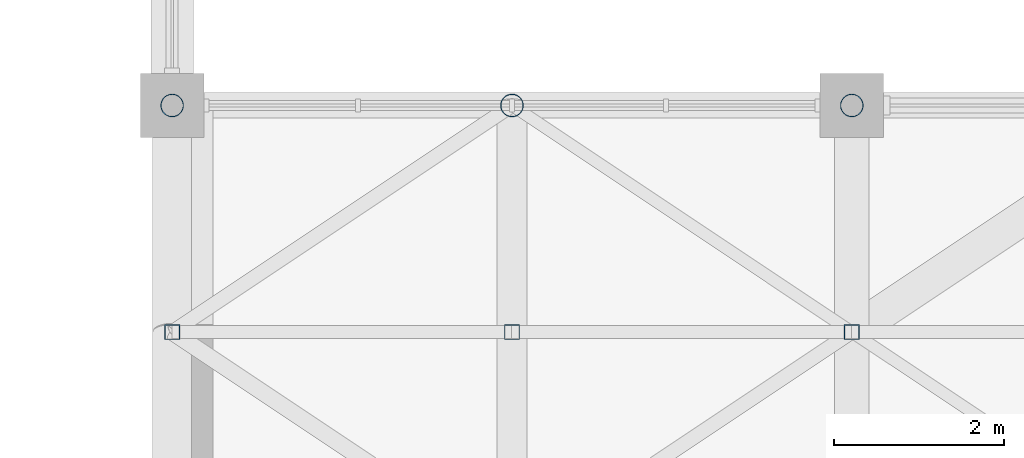
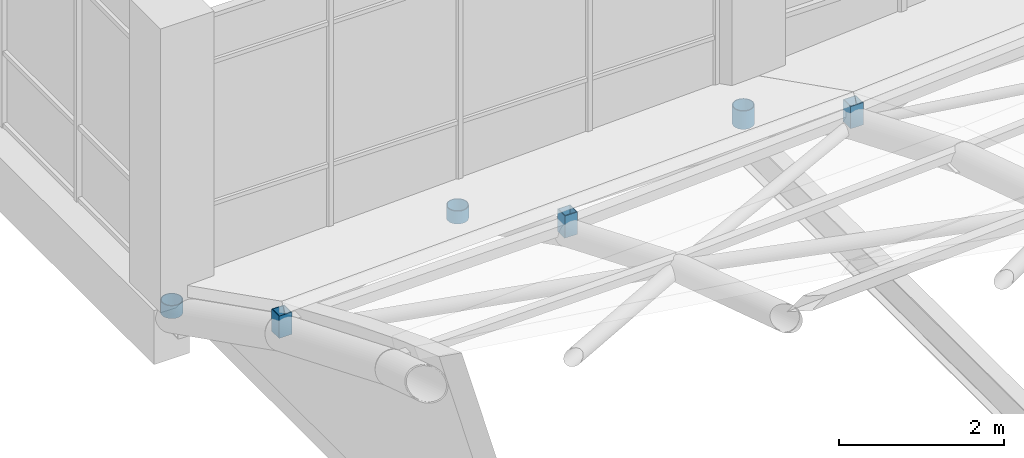
# One storey, part 40 of 72: 6 members.
"""IFC4 building model written with IfcOpenShell, lengths in metres."""

from ifc_helpers import new_model, si_unit, direction, frame, origin, origin_2d, place, context, subcontext, project, spatial, hollow_rectangle, hollow_circle, extrude, material, material_profile, profile_set, type_object, element, save


model = new_model("IFC4")

# Units and contexts
model_context = context("Model", 3, precision=1e-05, world=origin(), true_north=direction((0.0, 1.0)))
body_context = subcontext(model_context, "Body", "Model", "MODEL_VIEW")
ifc_project = project(units=[si_unit("LENGTHUNIT", "METRE"), si_unit("AREAUNIT", "SQUARE_METRE"), si_unit("VOLUMEUNIT", "CUBIC_METRE"), si_unit("PLANEANGLEUNIT", "RADIAN"), si_unit("MASSUNIT", "GRAM", prefix="KILO")], contexts=[model_context])

# Site, building, storey
site_placement = place(None, origin())
site = spatial("IfcSite", under=ifc_project, at=site_placement, CompositionType="ELEMENT")
building_placement = place(site_placement, origin())
building = spatial("IfcBuilding", under=site, at=building_placement, Name="Tenunan Teduh Sports Hall", CompositionType="ELEMENT")
storey_placement = place(building_placement, frame((0.0, 0.0, 15.0)))
storey = spatial("IfcBuildingStorey", under=building, at=storey_placement, Name="L03", CompositionType="ELEMENT", Elevation=15.0)

# Members
ifc_material_1 = material(Name="Steel S355", Category="steel")
ifc_material_profile_1 = material_profile(ifc_material_1, hollow_circle(Radius=0.136474609375, WallThickness=0.010009765625, at=origin_2d()), Name="CHS 273.0x10.0")
ifc_profile_set_1 = profile_set([ifc_material_profile_1], Name="Steel S355")
member_type_1 = type_object("IfcMemberType", Name="MEM-ST-CHS273", PredefinedType="STRUT", material=ifc_profile_set_1)
for number, where, z_axis, x_axis, name in (
    (1, (122.0, 46.0, -0.35009765625), (0.0, 0.0, 1.0), (1.0, 0.0, 0.0), "MEM-VS-04-L03-0002"),
    (2, (126.0, 46.0, -0.35009765625), (0.0, 0.0, 1.0), (1.0, 0.0, 0.0), "MEM-VS-04-L03-0009"),
):
    element("IfcMember", number, at=place(storey_placement, frame(where, z_axis=z_axis, x_axis=x_axis)), inside=storey, type_object=member_type_1, Name=name, PredefinedType="STRUT", context=body_context, shape_type="SweptSolid", body=[
        extrude(hollow_circle(Radius=0.136474609375, WallThickness=0.010009765625, at=origin_2d()), origin(), (0.0, 0.0, 1.0), 0.190185546875),
    ])
member_placement = place(storey_placement, frame((130.0, 46.0, -0.35009765625), z_axis=(0.0, 0.0, 1.0), x_axis=(1.0, 0.0, 0.0)))
element("IfcMember", 3, at=member_placement, inside=storey, type_object=member_type_1, Name="MEM-VS-04-L03-0016", PredefinedType="STRUT", context=body_context, shape_type="SweptSolid", body=[
    extrude(hollow_circle(Radius=0.136474609375, WallThickness=0.010009765625, at=origin_2d()), origin(), (0.0, 0.0, 1.0), 0.27099609375),
])
ifc_material_2 = material(Name="Steel S355", Category="steel")
ifc_material_profile_2 = material_profile(ifc_material_2, hollow_rectangle(XDim=0.179931640625, YDim=0.179931640625, WallThickness=0.010009765625, at=origin_2d()), Name="SHS 180x180x10.0")
ifc_profile_set_2 = profile_set([ifc_material_profile_2], Name="Steel S355")
member_type_2 = type_object("IfcMemberType", Name="MEM-ST-SHS180", PredefinedType="STRUT", material=ifc_profile_set_2)
for number, where, z_axis, x_axis, name in (
    (4, (122.0, 43.333251953125, 0.9638671875), (0.0, 0.0, 1.0), (1.0, 0.0, 0.0), "MEM-VS-03-L03-0007"),
    (5, (126.0, 43.333251953125, 1.0458984375), (0.0, 0.0, 1.0), (1.0, 0.0, 0.0), "MEM-VS-03-L03-0014"),
    (6, (130.0, 43.333251953125, 1.2646484375), (0.0, 0.0, 1.0), (1.0, 0.0, 0.0), "MEM-VS-03-L03-0021"),
):
    element("IfcMember", number, at=place(storey_placement, frame(where, z_axis=z_axis, x_axis=x_axis)), inside=storey, type_object=member_type_2, Name=name, PredefinedType="STRUT", context=body_context, shape_type="SweptSolid", body=[
        extrude(hollow_rectangle(XDim=0.179931640625, YDim=0.179931640625, WallThickness=0.010009765625, at=origin_2d()), origin(), (0.0, 0.0, 1.0), 0.329833984375),
    ])

save(model, "model.ifc")
